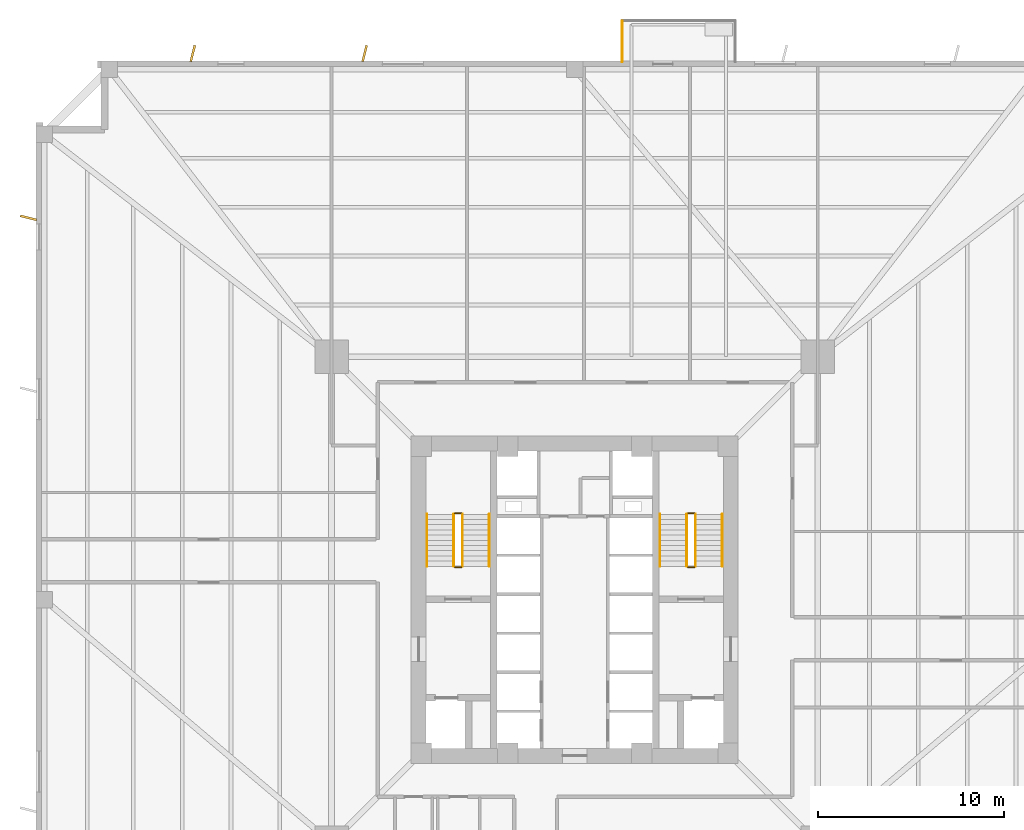
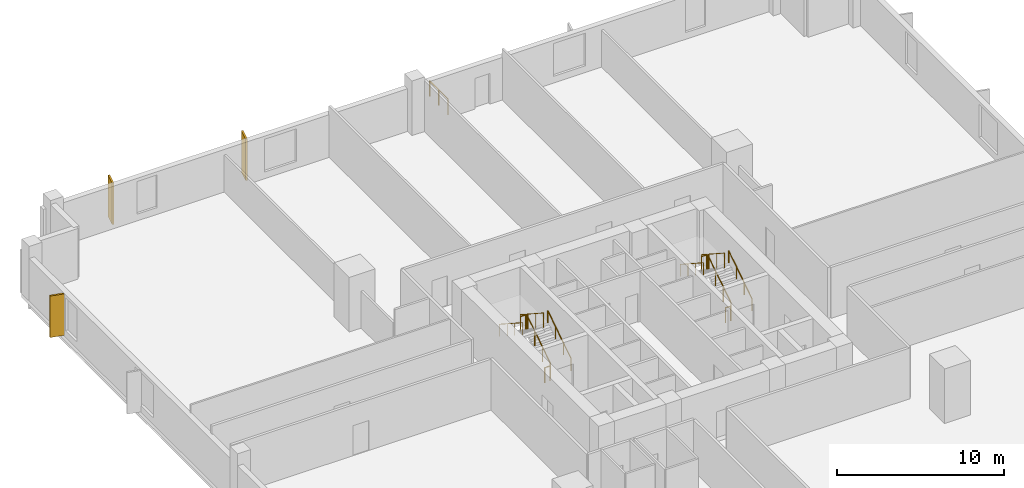
# One storey, part 7 of 8: 13 railings, 3 coverings.
"""IFC4 building model written with IfcOpenShell, lengths in metres."""

from ifc_helpers import new_model, si_unit, direction, frame, origin, origin_2d, place, context, subcontext, project, spatial, rectangle, circle, extrude, source, transform, mapped, material, layer, layer_set, type_object, element, save


model = new_model("IFC4")

# Units and contexts
model_context = context("Model", 3, precision=1e-05, world=origin(), true_north=direction((0.0, 1.0)))
body_context = subcontext(model_context, "Body", "Model", "MODEL_VIEW")
ifc_project = project(units=[si_unit("LENGTHUNIT", "METRE"), si_unit("AREAUNIT", "SQUARE_METRE"), si_unit("VOLUMEUNIT", "CUBIC_METRE"), si_unit("PLANEANGLEUNIT", "RADIAN"), si_unit("MASSUNIT", "GRAM", prefix="KILO"), si_unit("THERMODYNAMICTEMPERATUREUNIT", "KELVIN")], contexts=[model_context])

# Site, building, storey
site_placement = place(None, origin())
site = spatial("IfcSite", under=ifc_project, at=site_placement, CompositionType="ELEMENT")
building_placement = place(site_placement, origin())
building = spatial("IfcBuilding", under=site, at=building_placement, Name="Kosmvard Interchange Tower", CompositionType="ELEMENT")
storey_placement = place(building_placement, frame((0.0, 0.0, 42.0)))
storey = spatial("IfcBuildingStorey", under=building, at=storey_placement, Name="L09", CompositionType="ELEMENT", Elevation=42.0)

# Railing
ifc_material_1 = material(Name="Steel S355", Category="steel")
railing_type_1 = type_object("IfcRailingType", Name="Observation & Balcony Glass-Infill Balustrade 1150", PredefinedType="BALUSTRADE", material=ifc_material_1)
shared_shape_1 = source(origin(), body_context, "Body", "SweptSolid", [
    extrude(circle(Radius=0.02392578125, at=origin_2d()), frame((0.0, 0.0, 1.1259765625), z_axis=(0.0, -1.0, 0.0), x_axis=(1.0, 0.0, 0.0)), (0.0, 0.0, 1.0), 2.199951171875),
    extrude(circle(Radius=0.02099609375, at=origin_2d()), origin(), (0.0, 0.0, 1.0), 1.101806640625),
    extrude(circle(Radius=0.02099609375, at=origin_2d()), frame((0.0, -1.10009765625, 0.0)), (0.0, 0.0, 1.0), 1.101806640625),
    extrude(circle(Radius=0.02099609375, at=origin_2d()), frame((0.0, -2.199951171875, 0.0)), (0.0, 0.0, 1.0), 1.101806640625),
])
railing_placement = place(storey_placement, frame((2.550048828125, 31.14990234375, 0.0)))
element("IfcRailing", 1, at=railing_placement, inside=storey, type_object=railing_type_1, Name="L09 Outdoor Terrace Guard BAL-L09-N-C", PredefinedType="BALUSTRADE", context=body_context, shape_type="MappedRepresentation", body=[
    mapped(shared_shape_1, transform((0.0, 0.0, 0.0), scale=1.0)),
])

# Coverings
ifc_material_2 = material(Name="Architectural anodised aluminium", Category="aluminium")
ifc_layer = layer(ifc_material_2, 0.1201171875, Name="Architectural anodised aluminium")
ifc_layer_set = layer_set([ifc_layer], Name="Architectural anodised aluminium")
covering_type = type_object("IfcCoveringType", Name="Rotating Vertical Sun-Breaker Fin 900x120 Aluminium", PredefinedType="CLADDING", material=ifc_layer_set)
shared_shape_2 = source(origin(), body_context, "Body", "SweptSolid", [
    extrude(rectangle(XDim=0.89990234375, YDim=0.1201171875, at=origin_2d()), origin(), (0.0, 0.0, 1.0), 3.0400390625),
])
for number, where, z_axis, x_axis, name in (
    (2, (-11.3037109375, 29.39990234375, 0.0400390625), (0.0, 0.0, 1.0), (0.245307385879, 0.969445349895, 0.0), "L09 Rotating Vertical Sun-Breaker Fin 11"),
    (3, (-20.552001953125, 29.39990234375, 0.0400390625), (0.0, 0.0, 1.0), (0.245307385879, 0.969445349895, 0.0), "L09 Rotating Vertical Sun-Breaker Fin 12"),
    (4, (-29.39990234375, 20.552001953125, 0.0400390625), (0.0, 0.0, 1.0), (-0.969445349895, 0.245307385879, 0.0), "L09 Rotating Vertical Sun-Breaker Fin 13"),
):
    element("IfcCovering", number, at=place(storey_placement, frame(where, z_axis=z_axis, x_axis=x_axis)), inside=storey, type_object=covering_type, Name=name, PredefinedType="CLADDING", context=body_context, shape_type="MappedRepresentation", body=[
        mapped(shared_shape_2, transform((0.0, 0.0, 0.0), scale=1.0)),
    ])

# Railings
railing_type_2 = type_object("IfcRailingType", Name="Stair & Terrace Safety Guardrail 1100 Steel", PredefinedType="GUARDRAIL", material=ifc_material_1)
shared_shape_3 = source(origin(), body_context, "Body", "SweptSolid", [
    extrude(circle(Radius=0.02392578125, at=origin_2d()), frame((0.0, 0.0, 1.076171875), z_axis=(-1.0, 0.0, 0.0), x_axis=(0.0, -1.0, 0.0)), (0.0, 0.0, 1.0), 0.35986328125),
    extrude(circle(Radius=0.02099609375, at=origin_2d()), origin(), (0.0, 0.0, 1.0), 1.052001953125),
    extrude(circle(Radius=0.02099609375, at=origin_2d()), frame((-0.35986328125, 0.0, 0.0)), (0.0, 0.0, 1.0), 1.052001953125),
])
for number, where, name in (
    (5, (-6.090087890625, 4.64990234375, 2.0), "L09 ST-1 stair guard 2"),
    (6, (-6.090087890625, 1.75, 0.0), "L09 ST-1 stair guard 4"),
    (7, (6.449951171875, 4.64990234375, 2.0), "L09 ST-2 stair guard 2"),
    (8, (6.449951171875, 1.75, 0.0), "L09 ST-2 stair guard 4"),
):
    element("IfcRailing", number, at=place(storey_placement, frame(where)), inside=storey, type_object=railing_type_2, Name=name, PredefinedType="GUARDRAIL", context=body_context, shape_type="MappedRepresentation", body=[
        mapped(shared_shape_3, transform((0.0, 0.0, 0.0), scale=1.0)),
    ])
shared_shape_4 = source(origin(), body_context, "Body", "SweptSolid", [
    extrude(circle(Radius=0.02392578125, at=origin_2d()), frame((0.0, 0.0, 1.076171875), z_axis=(0.0, 0.838705829183, 0.544584733623), x_axis=(-1.0, 0.0, 0.0)), (0.0, 0.0, 1.0), 3.338623046875),
    extrude(circle(Radius=0.02099609375, at=origin_2d()), origin(), (0.0, 0.0, 1.0), 1.052001953125),
    extrude(circle(Radius=0.02099609375, at=origin_2d()), frame((0.0, 0.933349609375, 0.60595703125)), (0.0, 0.0, 1.0), 1.052001953125),
    extrude(circle(Radius=0.02099609375, at=origin_2d()), frame((0.0, 1.86669921875, 1.212158203125)), (0.0, 0.0, 1.0), 1.052001953125),
    extrude(circle(Radius=0.02099609375, at=origin_2d()), frame((0.0, 2.800048828125, 1.818115234375)), (0.0, 0.0, 1.0), 1.052001953125),
])
for number, where, name in (
    (9, (-6.0400390625, 1.800048828125, 0.181884765625), "L09 ST-1 stair guard 1"),
    (10, (6.5, 1.800048828125, 0.181884765625), "L09 ST-2 stair guard 1"),
):
    element("IfcRailing", number, at=place(storey_placement, frame(where)), inside=storey, type_object=railing_type_2, Name=name, PredefinedType="GUARDRAIL", context=body_context, shape_type="MappedRepresentation", body=[
        mapped(shared_shape_4, transform((0.0, 0.0, 0.0), scale=1.0)),
    ])
shared_shape_5 = source(origin(), body_context, "Body", "SweptSolid", [
    extrude(circle(Radius=0.02392578125, at=origin_2d()), frame((0.0, 0.0, 1.076171875), z_axis=(0.0, -0.838705829183, 0.544584733623), x_axis=(1.0, 0.0, 0.0)), (0.0, 0.0, 1.0), 3.338623046875),
    extrude(circle(Radius=0.02099609375, at=origin_2d()), origin(), (0.0, 0.0, 1.0), 1.052001953125),
    extrude(circle(Radius=0.02099609375, at=origin_2d()), frame((0.0, -0.933349609375, 0.60595703125)), (0.0, 0.0, 1.0), 1.052001953125),
    extrude(circle(Radius=0.02099609375, at=origin_2d()), frame((0.0, -1.86669921875, 1.212158203125)), (0.0, 0.0, 1.0), 1.052001953125),
    extrude(circle(Radius=0.02099609375, at=origin_2d()), frame((0.0, -2.800048828125, 1.818115234375)), (0.0, 0.0, 1.0), 1.052001953125),
])
for number, where, name in (
    (11, (-6.5, 4.60009765625, 2.181884765625), "L09 ST-1 stair guard 3"),
    (12, (6.0400390625, 4.60009765625, 2.181884765625), "L09 ST-2 stair guard 3"),
):
    element("IfcRailing", number, at=place(storey_placement, frame(where)), inside=storey, type_object=railing_type_2, Name=name, PredefinedType="GUARDRAIL", context=body_context, shape_type="MappedRepresentation", body=[
        mapped(shared_shape_5, transform((0.0, 0.0, 0.0), scale=1.0)),
    ])
railing_type_3 = type_object("IfcRailingType", Name="Wall-Mounted Stair Handrail 900 Steel", PredefinedType="HANDRAIL", material=ifc_material_1)
shared_shape_6 = source(origin(), body_context, "Body", "SweptSolid", [
    extrude(circle(Radius=0.02392578125, at=origin_2d()), frame((0.0, 0.0, 0.8759765625), z_axis=(0.0, 0.838705829183, 0.544584733623), x_axis=(-1.0, 0.0, 0.0)), (0.0, 0.0, 1.0), 3.338623046875),
    extrude(circle(Radius=0.02099609375, at=origin_2d()), origin(), (0.0, 0.0, 1.0), 0.851806640625),
    extrude(circle(Radius=0.02099609375, at=origin_2d()), frame((0.0, 0.933349609375, 0.60595703125)), (0.0, 0.0, 1.0), 0.851806640625),
    extrude(circle(Radius=0.02099609375, at=origin_2d()), frame((0.0, 1.86669921875, 1.212158203125)), (0.0, 0.0, 1.0), 0.851806640625),
    extrude(circle(Radius=0.02099609375, at=origin_2d()), frame((0.0, 2.800048828125, 1.818115234375)), (0.0, 0.0, 1.0), 0.851806640625),
])
for number, where, name in (
    (13, (-4.590087890625, 1.800048828125, 0.181884765625), "L09 ST-1 stair handrail 1"),
    (14, (7.949951171875, 1.800048828125, 0.181884765625), "L09 ST-2 stair handrail 1"),
):
    element("IfcRailing", number, at=place(storey_placement, frame(where)), inside=storey, type_object=railing_type_3, Name=name, PredefinedType="HANDRAIL", context=body_context, shape_type="MappedRepresentation", body=[
        mapped(shared_shape_6, transform((0.0, 0.0, 0.0), scale=1.0)),
    ])
shared_shape_7 = source(origin(), body_context, "Body", "SweptSolid", [
    extrude(circle(Radius=0.02392578125, at=origin_2d()), frame((0.0, 0.0, 0.8759765625), z_axis=(0.0, -0.838705829183, 0.544584733623), x_axis=(1.0, 0.0, 0.0)), (0.0, 0.0, 1.0), 3.338623046875),
    extrude(circle(Radius=0.02099609375, at=origin_2d()), origin(), (0.0, 0.0, 1.0), 0.851806640625),
    extrude(circle(Radius=0.02099609375, at=origin_2d()), frame((0.0, -0.933349609375, 0.60595703125)), (0.0, 0.0, 1.0), 0.851806640625),
    extrude(circle(Radius=0.02099609375, at=origin_2d()), frame((0.0, -1.86669921875, 1.212158203125)), (0.0, 0.0, 1.0), 0.851806640625),
    extrude(circle(Radius=0.02099609375, at=origin_2d()), frame((0.0, -2.800048828125, 1.818115234375)), (0.0, 0.0, 1.0), 0.851806640625),
])
for number, where, name in (
    (15, (-7.949951171875, 4.60009765625, 2.181884765625), "L09 ST-1 stair handrail 2"),
    (16, (4.590087890625, 4.60009765625, 2.181884765625), "L09 ST-2 stair handrail 2"),
):
    element("IfcRailing", number, at=place(storey_placement, frame(where)), inside=storey, type_object=railing_type_3, Name=name, PredefinedType="HANDRAIL", context=body_context, shape_type="MappedRepresentation", body=[
        mapped(shared_shape_7, transform((0.0, 0.0, 0.0), scale=1.0)),
    ])

save(model, "model.ifc")
